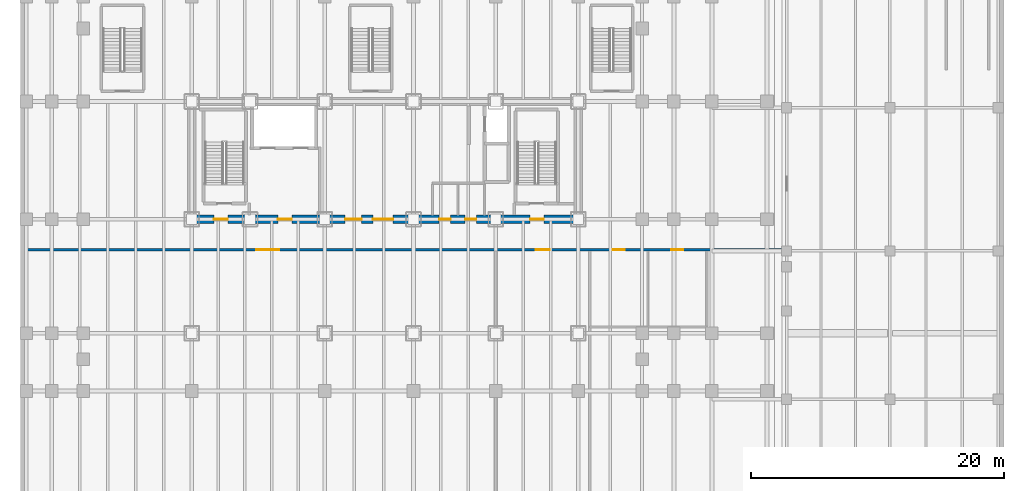
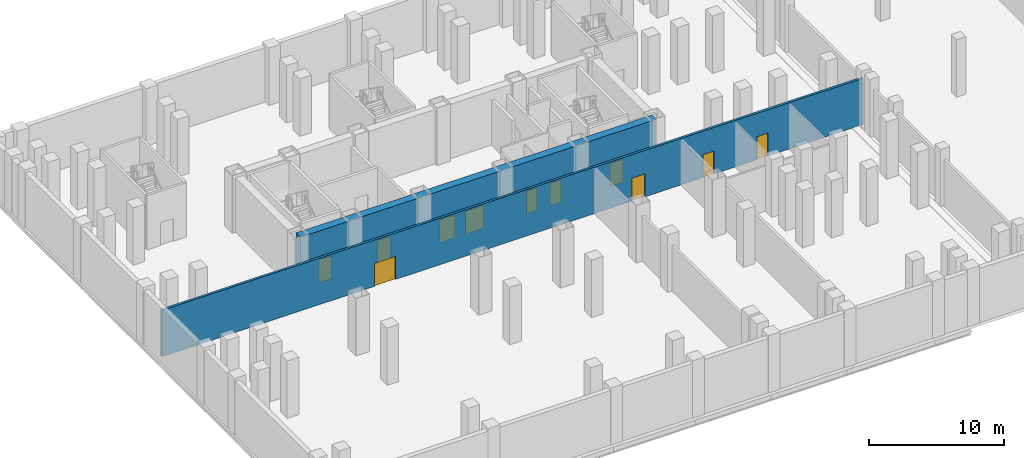
# One storey, part 8 of 15: 11 doors, 2 walls, 11 openings.
"""IFC4 building model written with IfcOpenShell, lengths in metres."""

from ifc_helpers import new_model, si_unit, direction, frame, frame_2d, origin, place, context, subcontext, project, spatial, rectangle, extrude, material, layer, layer_set, type_object, element, fill, save


model = new_model("IFC4")

# Units and contexts
model_context = context("Model", 3, precision=1e-05, world=origin(), true_north=direction((0.0, 1.0)))
body_context = subcontext(model_context, "Body", "Model", "MODEL_VIEW")
ifc_project = project(units=[si_unit("LENGTHUNIT", "METRE"), si_unit("AREAUNIT", "SQUARE_METRE"), si_unit("VOLUMEUNIT", "CUBIC_METRE"), si_unit("PLANEANGLEUNIT", "RADIAN"), si_unit("MASSUNIT", "GRAM", prefix="KILO")], contexts=[model_context])

# Site, building, storey
site_placement = place(None, origin())
site = spatial("IfcSite", under=ifc_project, at=site_placement, CompositionType="ELEMENT")
building_placement = place(site_placement, origin())
building = spatial("IfcBuilding", under=site, at=building_placement, Name="Noeulbin Bourse Tower", CompositionType="ELEMENT")
storey_placement = place(building_placement, frame((0.0, 0.0, -10.199951171875)))
storey = spatial("IfcBuildingStorey", under=building, at=storey_placement, Name="B02", CompositionType="ELEMENT", Elevation=-10.199951171875)

# Wall, openings, doors
ifc_material_1 = material(Name="Concrete C60/75", Category="concrete")
ifc_layer_1 = layer(ifc_material_1, 0.64990234375)
ifc_layer_set_1 = layer_set([ifc_layer_1], Name="Concrete C60/75")
wall_type_1 = type_object("IfcWallType", Name="WAL-CORE-650", PredefinedType="SHEAR", material=ifc_layer_set_1)
wall_1_placement = place(storey_placement, frame((13.5, 29.0, 0.0), z_axis=(0.0, 0.0, 1.0), x_axis=(1.0, 0.0, 0.0)))
wall_1 = element("IfcWall", 1, at=wall_1_placement, inside=storey, type_object=wall_type_1, Name="Rear Core South Shear Wall B02", PredefinedType="SHEAR", context=body_context, shape_type="SweptSolid", body=[
    extrude(rectangle(XDim=30.5, YDim=0.64990234375, at=frame_2d((15.25, 0.0))), origin(), (0.0, 0.0, 1.0), 4.919921875),
])
opening_1_placement = place(wall_1_placement, frame((1.75, 0.0, 0.0)))
opening_1 = element("IfcOpeningElement", 2, at=opening_1_placement, cuts=wall_1, Name="Opening FD-11", PredefinedType="OPENING", context=body_context, shape_type="SweptSolid", body=[
    extrude(rectangle(XDim=1.10009765625, YDim=2.080078125, at=frame_2d((0.550048828125, 1.0400390625))), frame((0.0, 0.3349609375, 0.0), z_axis=(0.0, -1.0, 0.0), x_axis=(1.0, 0.0, 0.0)), (0.0, 0.0, 1.0), 0.669921875),
])
opening_2_placement = place(wall_1_placement, frame((26.699951171875, 0.0, 0.0)))
opening_2 = element("IfcOpeningElement", 3, at=opening_2_placement, cuts=wall_1, Name="Opening FD-11", PredefinedType="OPENING", context=body_context, shape_type="SweptSolid", body=[
    extrude(rectangle(XDim=1.10009765625, YDim=2.080078125, at=frame_2d((0.550048828125, 1.0400390625))), frame((0.0, 0.3349609375, 0.0), z_axis=(0.0, -1.0, 0.0), x_axis=(1.0, 0.0, 0.0)), (0.0, 0.0, 1.0), 0.669921875),
])
opening_3_placement = place(wall_1_placement, frame((6.800048828125, 0.0, 0.0)))
opening_3 = element("IfcOpeningElement", 4, at=opening_3_placement, cuts=wall_1, Name="Opening FD-11", PredefinedType="OPENING", context=body_context, shape_type="SweptSolid", body=[
    extrude(rectangle(XDim=1.10009765625, YDim=2.080078125, at=frame_2d((0.550048828125, 1.0400390625))), frame((0.0, 0.3349609375, 0.0), z_axis=(0.0, -1.0, 0.0), x_axis=(1.0, 0.0, 0.0)), (0.0, 0.0, 1.0), 0.669921875),
])
opening_4_placement = place(wall_1_placement, frame((14.300048828125, 0.0, 0.0)))
opening_4 = element("IfcOpeningElement", 5, at=opening_4_placement, cuts=wall_1, Name="Opening ID-16", PredefinedType="OPENING", context=body_context, shape_type="SweptSolid", body=[
    extrude(rectangle(XDim=1.60009765625, YDim=2.080078125, at=frame_2d((0.800048828125, 1.0400390625))), frame((0.0, 0.3349609375, 0.0), z_axis=(0.0, -1.0, 0.0), x_axis=(1.0, 0.0, 0.0)), (0.0, 0.0, 1.0), 0.669921875),
])
opening_5_placement = place(wall_1_placement, frame((19.530029296875, 0.0, 0.0)))
opening_5 = element("IfcOpeningElement", 6, at=opening_5_placement, cuts=wall_1, Name="Opening FD-09", PredefinedType="OPENING", context=body_context, shape_type="SweptSolid", body=[
    extrude(rectangle(XDim=0.89990234375, YDim=2.080078125, at=frame_2d((0.449951171875, 1.0400390625))), frame((0.0, 0.3349609375, 0.0), z_axis=(0.0, -1.0, 0.0), x_axis=(1.0, 0.0, 0.0)), (0.0, 0.0, 1.0), 0.669921875),
])
opening_6_placement = place(wall_1_placement, frame((21.570068359375, 0.0, 0.0)))
opening_6 = element("IfcOpeningElement", 7, at=opening_6_placement, cuts=wall_1, Name="Opening FD-09", PredefinedType="OPENING", context=body_context, shape_type="SweptSolid", body=[
    extrude(rectangle(XDim=0.89990234375, YDim=2.080078125, at=frame_2d((0.449951171875, 1.0400390625))), frame((0.0, 0.3349609375, 0.0), z_axis=(0.0, -1.0, 0.0), x_axis=(1.0, 0.0, 0.0)), (0.0, 0.0, 1.0), 0.669921875),
])
opening_7_placement = place(wall_1_placement, frame((12.10009765625, 0.0, 0.0)))
opening_7 = element("IfcOpeningElement", 8, at=opening_7_placement, cuts=wall_1, Name="Opening LD-13", PredefinedType="OPENING", context=body_context, shape_type="SweptSolid", body=[
    extrude(rectangle(XDim=1.300048828125, YDim=2.080078125, at=frame_2d((0.64990234375, 1.0400390625))), frame((0.0, 0.3349609375, 0.0), z_axis=(0.0, -1.0, 0.0), x_axis=(1.0, 0.0, 0.0)), (0.0, 0.0, 1.0), 0.669921875),
])
ifc_material_2 = material(Name="Acoustic Glazed Aluminium", Category="aluminium")
door_type_1 = type_object("IfcDoorType", Name="DR-DBL-1600", OperationType="DOUBLE_DOOR_SINGLE_SWING", PredefinedType="DOOR", material=ifc_material_2)
door_1_placement = place(opening_4_placement, origin())
door_1 = element("IfcDoor", 9, at=door_1_placement, inside=storey, type_object=door_type_1, Name="Passenger Lift Lobby Portal B02", OperationType="DOUBLE_DOOR_SINGLE_SWING", OverallHeight=2.080078125, OverallWidth=1.60009765625, PredefinedType="DOOR", context=body_context, shape_type="SweptSolid", body=[
    extrude(rectangle(XDim=1.60009765625, YDim=2.080078125, at=frame_2d((0.800048828125, 1.0400390625))), frame((0.0, 0.02490234375, 0.0), z_axis=(0.0, -1.0, 0.0), x_axis=(1.0, 0.0, 0.0)), (0.0, 0.0, 1.0), 0.050048828125),
])
fill(opening_4, door_1)
ifc_material_3 = material(Name="Fire-Rated Timber Core", Category="wood")
door_type_2 = type_object("IfcDoorType", Name="DR-FD30-900", OperationType="SINGLE_SWING_RIGHT", PredefinedType="DOOR", material=ifc_material_3)
door_2_placement = place(opening_5_placement, origin())
door_2 = element("IfcDoor", 10, at=door_2_placement, inside=storey, type_object=door_type_2, Name="Interior Door B02-10", OperationType="SINGLE_SWING_LEFT", OverallHeight=2.080078125, OverallWidth=0.89990234375, PredefinedType="DOOR", context=body_context, shape_type="SweptSolid", body=[
    extrude(rectangle(XDim=0.89990234375, YDim=2.080078125, at=frame_2d((0.449951171875, 1.0400390625))), frame((0.0, 0.02490234375, 0.0), z_axis=(0.0, -1.0, 0.0), x_axis=(1.0, 0.0, 0.0)), (0.0, 0.0, 1.0), 0.050048828125),
])
fill(opening_5, door_2)
door_3_placement = place(opening_6_placement, origin())
door_3 = element("IfcDoor", 11, at=door_3_placement, inside=storey, type_object=door_type_2, Name="Interior Door B02-11", OperationType="SINGLE_SWING_RIGHT", OverallHeight=2.080078125, OverallWidth=0.89990234375, PredefinedType="DOOR", context=body_context, shape_type="SweptSolid", body=[
    extrude(rectangle(XDim=0.89990234375, YDim=2.080078125, at=frame_2d((0.449951171875, 1.0400390625))), frame((0.0, 0.02490234375, 0.0), z_axis=(0.0, -1.0, 0.0), x_axis=(1.0, 0.0, 0.0)), (0.0, 0.0, 1.0), 0.050048828125),
])
fill(opening_6, door_3)
ifc_material_4 = material(Name="Fire-Rated Insulated Steel", Category="steel")
door_type_3 = type_object("IfcDoorType", Name="DR-FD60-1100", OperationType="SINGLE_SWING_LEFT", PredefinedType="DOOR", material=ifc_material_4)
door_4_placement = place(opening_1_placement, origin())
door_4 = element("IfcDoor", 12, at=door_4_placement, inside=storey, type_object=door_type_3, Name="West Stair Lobby Door B02", OperationType="SINGLE_SWING_LEFT", OverallHeight=2.080078125, OverallWidth=1.10009765625, PredefinedType="DOOR", context=body_context, shape_type="SweptSolid", body=[
    extrude(rectangle(XDim=1.10009765625, YDim=2.080078125, at=frame_2d((0.550048828125, 1.0400390625))), frame((0.0, 0.02490234375, 0.0), z_axis=(0.0, -1.0, 0.0), x_axis=(1.0, 0.0, 0.0)), (0.0, 0.0, 1.0), 0.050048828125),
])
fill(opening_1, door_4)
door_5_placement = place(opening_2_placement, origin())
door_5 = element("IfcDoor", 13, at=door_5_placement, inside=storey, type_object=door_type_3, Name="East Stair Lobby Door B02", OperationType="SINGLE_SWING_RIGHT", OverallHeight=2.080078125, OverallWidth=1.10009765625, PredefinedType="DOOR", context=body_context, shape_type="SweptSolid", body=[
    extrude(rectangle(XDim=1.10009765625, YDim=2.080078125, at=frame_2d((0.550048828125, 1.0400390625))), frame((0.0, 0.02490234375, 0.0), z_axis=(0.0, -1.0, 0.0), x_axis=(1.0, 0.0, 0.0)), (0.0, 0.0, 1.0), 0.050048828125),
])
fill(opening_2, door_5)
door_6_placement = place(opening_3_placement, origin())
door_6 = element("IfcDoor", 14, at=door_6_placement, inside=storey, type_object=door_type_3, Name="Firefighting Lobby Door B02", OperationType="SINGLE_SWING_LEFT", OverallHeight=2.080078125, OverallWidth=1.10009765625, PredefinedType="DOOR", context=body_context, shape_type="SweptSolid", body=[
    extrude(rectangle(XDim=1.10009765625, YDim=2.080078125, at=frame_2d((0.550048828125, 1.0400390625))), frame((0.0, 0.02490234375, 0.0), z_axis=(0.0, -1.0, 0.0), x_axis=(1.0, 0.0, 0.0)), (0.0, 0.0, 1.0), 0.050048828125),
])
fill(opening_3, door_6)
ifc_material_5 = material(Name="Brushed Stainless Steel 316", Category="steel")
door_type_4 = type_object("IfcDoorType", Name="DR-LIFT-1300", OperationType="DOUBLE_DOOR_SLIDING", PredefinedType="DOOR", material=ifc_material_5)
door_7_placement = place(opening_7_placement, origin())
door_7 = element("IfcDoor", 15, at=door_7_placement, inside=storey, type_object=door_type_4, Name="Lift Landing Door LD-PL-S1-B02", OperationType="DOUBLE_DOOR_SLIDING", OverallHeight=2.080078125, OverallWidth=1.300048828125, PredefinedType="DOOR", context=body_context, shape_type="SweptSolid", body=[
    extrude(rectangle(XDim=1.300048828125, YDim=2.080078125, at=frame_2d((0.64990234375, 1.0400390625))), frame((0.0, 0.02490234375, 0.0), z_axis=(0.0, -1.0, 0.0), x_axis=(1.0, 0.0, 0.0)), (0.0, 0.0, 1.0), 0.050048828125),
])
fill(opening_7, door_7)

ifc_material_6 = material(Name="Concrete C40/50", Category="concrete")
ifc_layer_2 = layer(ifc_material_6, 0.199951171875)
ifc_layer_set_2 = layer_set([ifc_layer_2], Name="Concrete C40/50")
wall_type_2 = type_object("IfcWallType", Name="WAL-FIRE-200", PredefinedType="STANDARD", material=ifc_layer_set_2)
wall_2_placement = place(storey_placement, frame((0.39990234375, 26.60009765625, 0.0), z_axis=(0.0, 0.0, 1.0), x_axis=(1.0, 0.0, 0.0)))
wall_2 = element("IfcWall", 16, at=wall_2_placement, inside=storey, type_object=wall_type_2, Name="Interior Partition Wall B02-01", PredefinedType="STANDARD", context=body_context, shape_type="SweptSolid", body=[
    extrude(rectangle(XDim=60.050048828125, YDim=0.199951171875, at=frame_2d((30.02490234375, 0.0))), origin(), (0.0, 0.0, 1.0), 4.199951171875),
])
opening_8_placement = place(wall_2_placement, frame((18.199951171875, 0.0, 0.0)))
opening_8 = element("IfcOpeningElement", 17, at=opening_8_placement, cuts=wall_2, Name="Opening ID-18", PredefinedType="OPENING", context=body_context, shape_type="SweptSolid", body=[
    extrude(rectangle(XDim=1.800048828125, YDim=2.080078125, at=frame_2d((0.89990234375, 1.0400390625))), frame((0.0, 0.10986328125, 0.0), z_axis=(0.0, -1.0, 0.0), x_axis=(1.0, 0.0, 0.0)), (0.0, 0.0, 1.0), 0.219970703125),
])
opening_9_placement = place(wall_2_placement, frame((40.25, 0.0, 0.0)))
opening_9 = element("IfcOpeningElement", 18, at=opening_9_placement, cuts=wall_2, Name="Opening FD-11", PredefinedType="OPENING", context=body_context, shape_type="SweptSolid", body=[
    extrude(rectangle(XDim=1.10009765625, YDim=2.080078125, at=frame_2d((0.550048828125, 1.0400390625))), frame((0.0, 0.10986328125, 0.0), z_axis=(0.0, -1.0, 0.0), x_axis=(1.0, 0.0, 0.0)), (0.0, 0.0, 1.0), 0.219970703125),
])
opening_10_placement = place(wall_2_placement, frame((46.324951171875, 0.0, 0.0)))
opening_10 = element("IfcOpeningElement", 19, at=opening_10_placement, cuts=wall_2, Name="Opening ID-09", PredefinedType="OPENING", context=body_context, shape_type="SweptSolid", body=[
    extrude(rectangle(XDim=0.949951171875, YDim=2.080078125, at=frame_2d((0.47509765625, 1.0400390625))), frame((0.0, 0.10986328125, 0.0), z_axis=(0.0, -1.0, 0.0), x_axis=(1.0, 0.0, 0.0)), (0.0, 0.0, 1.0), 0.219970703125),
])
opening_11_placement = place(wall_2_placement, frame((50.925048828125, 0.0, 0.0)))
opening_11 = element("IfcOpeningElement", 20, at=opening_11_placement, cuts=wall_2, Name="Opening ID-09", PredefinedType="OPENING", context=body_context, shape_type="SweptSolid", body=[
    extrude(rectangle(XDim=0.949951171875, YDim=2.080078125, at=frame_2d((0.47509765625, 1.0400390625))), frame((0.0, 0.10986328125, 0.0), z_axis=(0.0, -1.0, 0.0), x_axis=(1.0, 0.0, 0.0)), (0.0, 0.0, 1.0), 0.219970703125),
])
ifc_material_7 = material(Name="Fire-Rated Glazed Steel", Category="steel")
door_type_5 = type_object("IfcDoorType", Name="DR-DBL-1800", OperationType="DOUBLE_DOOR_SINGLE_SWING", PredefinedType="DOOR", material=ifc_material_7)
door_8_placement = place(opening_8_placement, origin())
door_8 = element("IfcDoor", 21, at=door_8_placement, inside=storey, type_object=door_type_5, Name="Interior Door B02-01", OperationType="DOUBLE_DOOR_SINGLE_SWING", OverallHeight=2.080078125, OverallWidth=1.800048828125, PredefinedType="DOOR", context=body_context, shape_type="SweptSolid", body=[
    extrude(rectangle(XDim=1.800048828125, YDim=2.080078125, at=frame_2d((0.89990234375, 1.0400390625))), frame((0.0, 0.02490234375, 0.0), z_axis=(0.0, -1.0, 0.0), x_axis=(1.0, 0.0, 0.0)), (0.0, 0.0, 1.0), 0.050048828125),
])
fill(opening_8, door_8)
door_9_placement = place(opening_9_placement, origin())
door_9 = element("IfcDoor", 22, at=door_9_placement, inside=storey, type_object=door_type_3, Name="Interior Door B02-02", OperationType="SINGLE_SWING_LEFT", OverallHeight=2.080078125, OverallWidth=1.10009765625, PredefinedType="DOOR", context=body_context, shape_type="SweptSolid", body=[
    extrude(rectangle(XDim=1.10009765625, YDim=2.080078125, at=frame_2d((0.550048828125, 1.0400390625))), frame((0.0, 0.02490234375, 0.0), z_axis=(0.0, -1.0, 0.0), x_axis=(1.0, 0.0, 0.0)), (0.0, 0.0, 1.0), 0.050048828125),
])
fill(opening_9, door_9)
ifc_material_8 = material(Name="Acoustic Solid-Core Timber", Category="wood")
door_type_6 = type_object("IfcDoorType", Name="DR-SINGLE-950", OperationType="SINGLE_SWING_LEFT", PredefinedType="DOOR", material=ifc_material_8)
door_10_placement = place(opening_10_placement, origin())
door_10 = element("IfcDoor", 23, at=door_10_placement, inside=storey, type_object=door_type_6, Name="Interior Door B02-03", OperationType="SINGLE_SWING_RIGHT", OverallHeight=2.080078125, OverallWidth=0.949951171875, PredefinedType="DOOR", context=body_context, shape_type="SweptSolid", body=[
    extrude(rectangle(XDim=0.949951171875, YDim=2.080078125, at=frame_2d((0.47509765625, 1.0400390625))), frame((0.0, 0.02490234375, 0.0), z_axis=(0.0, -1.0, 0.0), x_axis=(1.0, 0.0, 0.0)), (0.0, 0.0, 1.0), 0.050048828125),
])
fill(opening_10, door_10)
door_11_placement = place(opening_11_placement, origin())
door_11 = element("IfcDoor", 24, at=door_11_placement, inside=storey, type_object=door_type_6, Name="Interior Door B02-04", OperationType="SINGLE_SWING_LEFT", OverallHeight=2.080078125, OverallWidth=0.949951171875, PredefinedType="DOOR", context=body_context, shape_type="SweptSolid", body=[
    extrude(rectangle(XDim=0.949951171875, YDim=2.080078125, at=frame_2d((0.47509765625, 1.0400390625))), frame((0.0, 0.02490234375, 0.0), z_axis=(0.0, -1.0, 0.0), x_axis=(1.0, 0.0, 0.0)), (0.0, 0.0, 1.0), 0.050048828125),
])
fill(opening_11, door_11)

save(model, "model.ifc")
